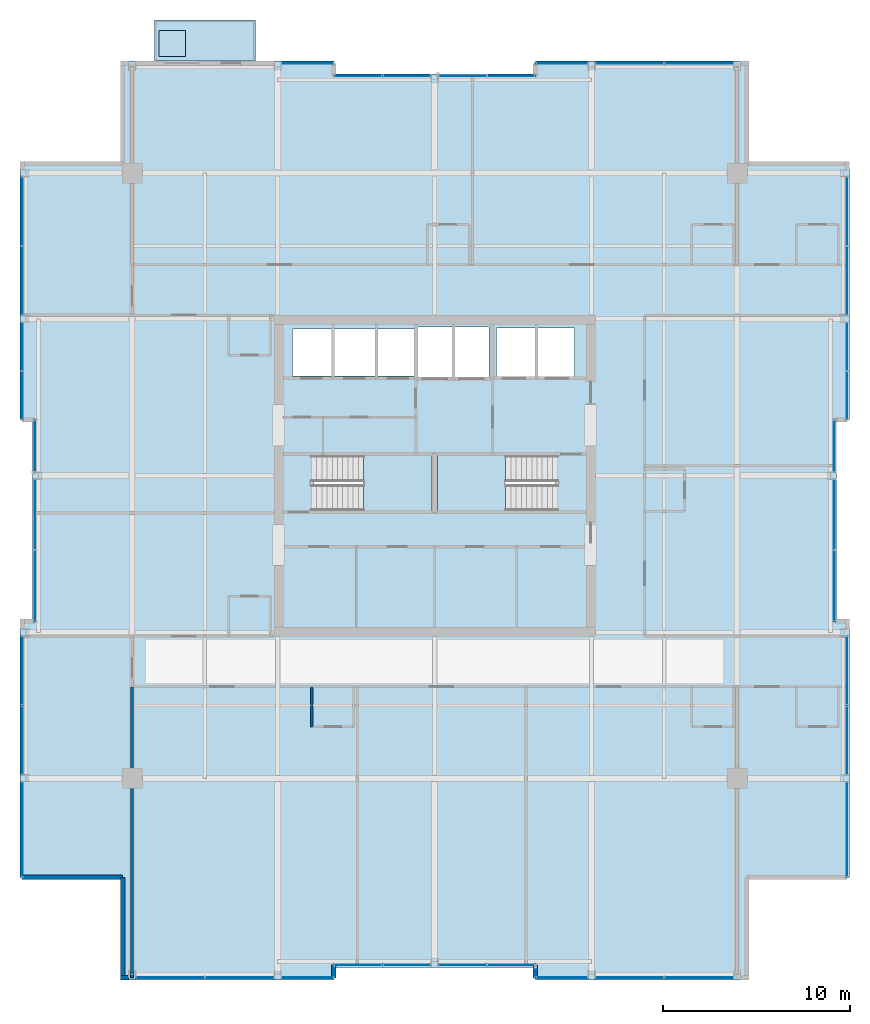
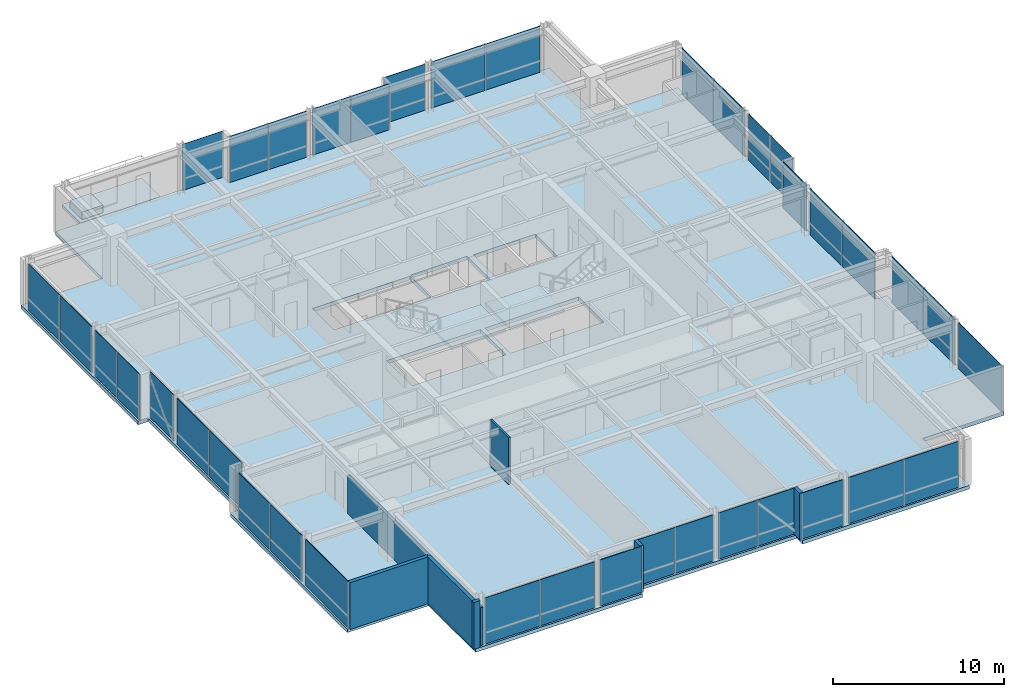
# One storey, part 24 of 31: 38 plates, 7 walls, 5 slabs, 25 elements without a shape of their own.
"""IFC4 building model written with IfcOpenShell, lengths in metres."""

import ifcopenshell
import ifcopenshell.guid

model = None  # the IFC model being written
_history = None  # IfcOwnerHistory: only IFC2X3 demands one
_inside = {}  # id of a spatial element -> (the spatial element, [elements in it])
_under = {}  # id of a project, library or spatial element -> (it, [spatial elements below it])
_declared = {}  # id of a project -> (the project, [libraries it declares])
_typed = {}  # id of a type object -> (the type object, [elements of that type])
_made_of = {}  # id of a material, layer set ... -> (it, [elements and type objects made of it])


def new_model(schema):
    """Start an empty IFC model of exactly this schema.

    Asked for "IFC4X3", IfcOpenShell would pick the latest addendum, in which some entities
    have other attributes; the version numbers below select the first issue.
    IFC2X3 requires an IfcOwnerHistory on every rooted entity: one is made here for all.
    """
    global model, _history
    if schema == "IFC4X3":
        model = ifcopenshell.file(schema_version=(4, 3, 0, 0))
    else:
        model = ifcopenshell.file(schema=schema)
    _inside.clear()
    _under.clear()
    _declared.clear()
    _typed.clear()
    _made_of.clear()
    _history = None
    if model.schema == "IFC2X3":
        org = make("IfcOrganization", Name="unknown")
        user = make(
            "IfcPersonAndOrganization",
            ThePerson=make("IfcPerson", FamilyName="unknown"),
            TheOrganization=org,
        )
        app = make(
            "IfcApplication",
            ApplicationDeveloper=org,
            Version="unknown",
            ApplicationFullName="unknown",
            ApplicationIdentifier="unknown",
        )
        _history = make(
            "IfcOwnerHistory",
            OwningUser=user,
            OwningApplication=app,
            ChangeAction="ADDED",
            CreationDate=0,
        )
    return model


def make(cls, **values):
    """One entity of the class cls with the attributes given. An attribute that is None is left unset."""
    return model.create_entity(
        cls, **{name: value for name, value in values.items() if value is not None}
    )


def rooted(cls, **values):
    """An entity with a GlobalId (a new one), such as an element, a storey or a relation."""
    return make(cls, GlobalId=ifcopenshell.guid.new(), OwnerHistory=_history, **values)


def si_unit(unit_type, name, prefix=None):
    """IfcSIUnit, for example si_unit("LENGTHUNIT", "METRE", prefix="MILLI")."""
    return make("IfcSIUnit", UnitType=unit_type, Prefix=prefix, Name=name)


def assignment(units):
    """IfcUnitAssignment: the units of a project."""
    return None if units is None else make("IfcUnitAssignment", Units=units)


def point(xyz):
    """IfcCartesianPoint."""
    return None if xyz is None else make("IfcCartesianPoint", Coordinates=xyz)


def direction(xyz):
    """IfcDirection."""
    return None if xyz is None else make("IfcDirection", DirectionRatios=xyz)


def frame(location, z_axis=None, x_axis=None):
    """IfcAxis2Placement3D, a coordinate frame: its origin and axes. An axis left out is left unset."""
    return make(
        "IfcAxis2Placement3D",
        Location=point(location),
        Axis=direction(z_axis),
        RefDirection=direction(x_axis),
    )


def frame_2d(location, x_axis=None):
    """IfcAxis2Placement2D, a coordinate frame in the plane: its origin and x axis."""
    return make(
        "IfcAxis2Placement2D", Location=point(location), RefDirection=direction(x_axis)
    )


def origin():
    """The frame at (0, 0, 0) with its axes left unset."""
    return frame((0.0, 0.0, 0.0))


def origin_2d():
    """The frame at (0, 0) in the plane with its x axis left unset."""
    return frame_2d((0.0, 0.0))


def place(relative_to, where):
    """IfcLocalPlacement: puts the frame where relative to a parent placement (None: the world)."""
    return make(
        "IfcLocalPlacement", PlacementRelTo=relative_to, RelativePlacement=where
    )


def context(
    kind, dimensions, precision=None, world=None, true_north=None, identifier=None
):
    """IfcGeometricRepresentationContext, for example the 3D "Model" context."""
    return make(
        "IfcGeometricRepresentationContext",
        ContextIdentifier=identifier,
        ContextType=kind,
        CoordinateSpaceDimension=dimensions,
        Precision=precision,
        WorldCoordinateSystem=world,
        TrueNorth=true_north,
    )


def subcontext(parent, identifier, kind, view, scale=None):
    """IfcGeometricRepresentationSubContext, for example "Body" below "Model"."""
    return make(
        "IfcGeometricRepresentationSubContext",
        ContextIdentifier=identifier,
        ContextType=kind,
        ParentContext=parent,
        TargetScale=scale,
        TargetView=view,
    )


def project(units=None, contexts=None):
    """IfcProject with its units and contexts."""
    return rooted(
        "IfcProject",
        Name="project",
        RepresentationContexts=contexts,
        UnitsInContext=assignment(units),
    )


def spatial(cls, under=None, at=None, **own):
    """A site, building, storey or space (cls), placed at a placement, below another one or the project."""
    s = rooted(cls, ObjectPlacement=at, **own)
    if under is not None:
        _under.setdefault(under.id(), (under, []))[1].append(s)
    return s


def polyline(points):
    """IfcPolyline through the points."""
    return make("IfcPolyline", Points=[point(p) for p in points])


def profile(cls, at=None, kind="AREA", **sizes):
    """A parametric profile (cls). Its sizes go by their IFC names, for example OverallWidth=200.0."""
    return make(cls, ProfileType=kind, Position=at, **sizes)


def rectangle(**sizes):
    """IfcRectangleProfileDef."""
    return profile("IfcRectangleProfileDef", **sizes)


def outline(outer, holes=None, kind="AREA"):
    """IfcArbitraryClosedProfileDef: a profile drawn as a closed curve; with holes, ...WithVoids."""
    if holes is None:
        return make("IfcArbitraryClosedProfileDef", ProfileType=kind, OuterCurve=outer)
    return make(
        "IfcArbitraryProfileDefWithVoids",
        ProfileType=kind,
        OuterCurve=outer,
        InnerCurves=holes,
    )


def extrude(swept, where, along, depth):
    """IfcExtrudedAreaSolid: the profile swept, set in the frame where, extruded along a direction by depth."""
    return make(
        "IfcExtrudedAreaSolid",
        SweptArea=swept,
        Position=where,
        ExtrudedDirection=direction(along),
        Depth=depth,
    )


def shape(context_of_items, identifier, shape_type, items):
    """IfcShapeRepresentation: the items that make up one representation, for example the "Body"."""
    return make(
        "IfcShapeRepresentation",
        ContextOfItems=context_of_items,
        RepresentationIdentifier=identifier,
        RepresentationType=shape_type,
        Items=items,
    )


def material(Name=None, Category=None):
    """IfcMaterial."""
    return make("IfcMaterial", Name=Name, Category=Category)


def layer(
    of_material, thickness, ventilated=None, Name=None, Category=None, Priority=None
):
    """IfcMaterialLayer: one layer of a wall or slab, of a material (None: an air gap)."""
    return make(
        "IfcMaterialLayer",
        Material=of_material,
        LayerThickness=thickness,
        IsVentilated=ventilated,
        Name=Name,
        Category=Category,
        Priority=Priority,
    )


def layer_set(layers, Name=None):
    """IfcMaterialLayerSet."""
    return make("IfcMaterialLayerSet", MaterialLayers=layers, LayerSetName=Name)


def made_of(thing, what):
    """Note that an element or type object is made of a material, layer set ...; save() writes the relation."""
    if what is not None:
        _made_of.setdefault(what.id(), (what, []))[1].append(thing)
    return thing


def type_object(cls, material=None, **own):
    """A type object (cls), such as IfcWallType, which elements share."""
    return made_of(rooted(cls, **own), material)


def element(
    cls,
    number,
    at=None,
    inside=None,
    cuts=None,
    type_object=None,
    material=None,
    context=None,
    identifier="Body",
    shape_type=None,
    held_by="IfcProductDefinitionShape",
    body=None,
    shapes=None,
    **own,
):
    """One element of the class cls, such as IfcWall. Its Tag is "e" and its number.

    at: its placement. inside: the storey or other place that contains it. cuts: it is an
    opening in that element (IfcRelVoidsElement). A single representation is given by context,
    identifier, shape_type and body (its items); several are given by shapes. held_by: the class
    of the entity that holds the representations. save() writes the other relations.
    """
    e = rooted(cls, Tag="e%d" % number, ObjectPlacement=at, **own)
    if body is not None:
        shapes = [shape(context, identifier, shape_type, body)]
    if shapes is not None:
        e.Representation = make(held_by, Representations=shapes)
    if inside is not None:
        _inside.setdefault(inside.id(), (inside, []))[1].append(e)
    if cuts is not None:
        rooted(
            "IfcRelVoidsElement", RelatingBuildingElement=cuts, RelatedOpeningElement=e
        )
    if type_object is not None:
        _typed.setdefault(type_object.id(), (type_object, []))[1].append(e)
    return made_of(e, material)


def aggregate(whole, parts):
    """IfcRelAggregates: a whole, such as a stair, and the parts it consists of."""
    return rooted("IfcRelAggregates", RelatingObject=whole, RelatedObjects=parts)


def save(model, path):
    """Write the relations noted so far, then the file.

    IfcRelAggregates (storeys below a building ...), IfcRelContainedInSpatialStructure (elements
    in a storey), IfcRelDefinesByType, IfcRelAssociatesMaterial and IfcRelDeclares: one each for
    every whole, place, type object, material and project.
    """
    for whole, parts in _under.values():
        aggregate(whole, parts)
    for where, things in _inside.values():
        rooted(
            "IfcRelContainedInSpatialStructure",
            RelatedElements=things,
            RelatingStructure=where,
        )
    for kind, things in _typed.values():
        rooted("IfcRelDefinesByType", RelatedObjects=things, RelatingType=kind)
    for what, things in _made_of.values():
        rooted("IfcRelAssociatesMaterial", RelatedObjects=things, RelatingMaterial=what)
    for by, libraries in _declared.values():
        rooted("IfcRelDeclares", RelatingContext=by, RelatedDefinitions=libraries)
    model.write(path)


model = new_model("IFC4")

# Units and contexts
model_context = context("Model", 3, precision=1e-05, world=origin(), true_north=direction((0.0, 1.0)))
body_context = subcontext(model_context, "Body", "Model", "MODEL_VIEW")
ifc_project = project(units=[si_unit("LENGTHUNIT", "METRE"), si_unit("AREAUNIT", "SQUARE_METRE"), si_unit("VOLUMEUNIT", "CUBIC_METRE"), si_unit("PLANEANGLEUNIT", "RADIAN"), si_unit("MASSUNIT", "GRAM", prefix="KILO")], contexts=[model_context])

# Site, building, storey
site_placement = place(None, origin())
site = spatial("IfcSite", under=ifc_project, at=site_placement, CompositionType="ELEMENT")
building_placement = place(site_placement, origin())
building = spatial("IfcBuilding", under=site, at=building_placement, Name="Drelvath Grand Hotel", CompositionType="ELEMENT")
storey_placement = place(building_placement, frame((0.0, 0.0, 219.5)))
storey = spatial("IfcBuildingStorey", under=building, at=storey_placement, Name="L57", CompositionType="ELEMENT", Elevation=219.5)

# Slabs
ifc_material_1 = material(Name="Concrete f'c 40 MPa", Category="concrete")
ifc_layer_1 = layer(ifc_material_1, 0.239990234375)
ifc_layer_set_1 = layer_set([ifc_layer_1], Name="Concrete f'c 40 MPa")
slab_type_1 = type_object("IfcSlabType", Name="Cantilevered Tree Balcony Slab 240", PredefinedType="FLOOR", material=ifc_layer_set_1)
slab_1_placement = place(storey_placement, frame((0.0, 0.0, -0.239990234375)))
element("IfcSlab", 1, at=slab_1_placement, inside=storey, type_object=slab_type_1, Name="L57 Cantilevered Tree Balcony Slab 1", PredefinedType="FLOOR", context=body_context, shape_type="SweptSolid", body=[
    extrude(outline(polyline([(-15.0, 49.199951171875), (-9.60009765625, 49.199951171875), (-9.60009765625, 51.39990234375), (-15.0, 51.39990234375), (-15.0, 49.199951171875)])), origin(), (0.0, 0.0, 1.0), 0.239990234375),
])
ifc_layer_2 = layer(ifc_material_1, 0.260009765625)
ifc_layer_set_2 = layer_set([ifc_layer_2], Name="Concrete f'c 40 MPa")
slab_type_2 = type_object("IfcSlabType", Name="Composite RC Floor Slab 260", PredefinedType="FLOOR", material=ifc_layer_set_2)
slab_2_placement = place(storey_placement, frame((0.0, 0.0, -0.260009765625)))
element("IfcSlab", 2, at=slab_2_placement, inside=storey, type_object=slab_type_2, Name="L57 Structural Floor Slab", PredefinedType="FLOOR", context=body_context, shape_type="SweptSolid", body=[
    extrude(outline(polyline([(-16.699951171875, 0.0), (-5.39990234375, 0.0), (-5.39990234375, 0.679931640625), (5.39990234375, 0.679931640625), (5.39990234375, 0.0), (16.699951171875, 0.0), (16.699951171875, 5.5), (22.199951171875, 5.5), (22.199951171875, 19.199951171875), (21.52001953125, 19.199951171875), (21.52001953125, 30.0), (22.199951171875, 30.0), (22.199951171875, 43.699951171875), (16.699951171875, 43.699951171875), (16.699951171875, 49.199951171875), (5.39990234375, 49.199951171875), (5.39990234375, 48.52001953125), (-5.39990234375, 48.52001953125), (-5.39990234375, 49.199951171875), (-16.699951171875, 49.199951171875), (-16.699951171875, 43.699951171875), (-22.199951171875, 43.699951171875), (-22.199951171875, 30.0), (-21.52001953125, 30.0), (-21.52001953125, 19.199951171875), (-22.199951171875, 19.199951171875), (-22.199951171875, 5.5), (-16.699951171875, 5.5), (-16.699951171875, 0.0)]), holes=[polyline([(-6.47998046875, 25.1201171875), (-6.47998046875, 28.080078125), (-0.14990234375, 28.080078125), (-0.14990234375, 25.1201171875), (-6.47998046875, 25.1201171875)]), polyline([(0.14990234375, 25.1201171875), (0.14990234375, 28.080078125), (6.47998046875, 28.080078125), (6.47998046875, 25.1201171875), (0.14990234375, 25.1201171875)]), polyline([(-7.60009765625, 32.35009765625), (-7.60009765625, 34.85009765625), (-1.02001953125, 34.85009765625), (-1.02001953125, 32.35009765625), (-7.60009765625, 32.35009765625)]), polyline([(-0.89990234375, 32.25), (-0.89990234375, 34.949951171875), (2.89990234375, 34.949951171875), (2.89990234375, 32.25), (-0.89990234375, 32.25)]), polyline([(3.300048828125, 32.300048828125), (3.300048828125, 34.89990234375), (7.5, 34.89990234375), (7.5, 32.300048828125), (3.300048828125, 32.300048828125)])]), origin(), (0.0, 0.0, 1.0), 0.260009765625),
])

# Stair, slab
ifc_material_2 = material(Name="Concrete C40/50", Category="concrete")
stair_type = type_object("IfcStairType", Name="Dogleg Exit Stair W1400-R163.6", PredefinedType="HALF_TURN_STAIR", material=ifc_material_2)
stair_1_placement = place(storey_placement, origin())
stair_1 = element("IfcStair", 3, at=stair_1_placement, inside=storey, type_object=stair_type, Name="L57 Core Exit Stair ST-1", PredefinedType="HALF_TURN_STAIR")
ifc_layer_3 = layer(ifc_material_2, 0.199951171875)
ifc_layer_set_3 = layer_set([ifc_layer_3], Name="Concrete C40/50")
slab_type_3 = type_object("IfcSlabType", Name="Concrete Stair Landing Slab 200", PredefinedType="LANDING", material=ifc_layer_set_3)
slab_3_placement = place(storey_placement, frame((0.0, 0.0, 1.60009765625)))
slab_3 = element("IfcSlab", 4, at=slab_3_placement, type_object=slab_type_3, Name="ST-1 landing 1", PredefinedType="LANDING", context=body_context, shape_type="SweptSolid", body=[
    extrude(outline(polyline([(-3.800048828125, 25.1201171875), (-0.14990234375, 25.1201171875), (-0.14990234375, 28.080078125), (-3.800048828125, 28.080078125), (-3.800048828125, 25.1201171875)])), origin(), (0.0, 0.0, 1.0), 0.199951171875),
])
aggregate(stair_1, [slab_3])

stair_2_placement = place(storey_placement, origin())
stair_2 = element("IfcStair", 5, at=stair_2_placement, inside=storey, type_object=stair_type, Name="L57 Core Exit Stair ST-2", PredefinedType="HALF_TURN_STAIR")
slab_4_placement = place(storey_placement, frame((0.0, 0.0, 1.60009765625)))
slab_4 = element("IfcSlab", 6, at=slab_4_placement, type_object=slab_type_3, Name="ST-2 landing 1", PredefinedType="LANDING", context=body_context, shape_type="SweptSolid", body=[
    extrude(outline(polyline([(3.800048828125, 28.080078125), (0.14990234375, 28.080078125), (0.14990234375, 25.1201171875), (3.800048828125, 25.1201171875), (3.800048828125, 28.080078125)])), origin(), (0.0, 0.0, 1.0), 0.199951171875),
])
aggregate(stair_2, [slab_4])

# Curtain wall, plate
ifc_material_3 = material(Name="Platinum-Mist Anodised Aluminium Frame", Category="aluminium")
ifc_layer_4 = layer(ifc_material_3, 0.199951171875)
ifc_layer_set_4 = layer_set([ifc_layer_4], Name="Platinum-Mist Anodised Aluminium Frame")
curtain_wall_type = type_object("IfcCurtainWallType", Name="Stick Curtain Wall CW-05 Platinum Mist High-Rise", PredefinedType="NOTDEFINED", material=ifc_layer_set_4)
curtain_wall_1_placement = place(storey_placement, origin())
curtain_wall_1 = element("IfcCurtainWall", 7, at=curtain_wall_1_placement, inside=storey, type_object=curtain_wall_type, Name="L57 CW-05 Curtain Wall CW05-L57-WS1", PredefinedType="NOTDEFINED")
ifc_material_4 = material(Name="Low-E Triple Silver High-Altitude Glass", Category="glass")
ifc_layer_5 = layer(ifc_material_4, 0.035888671875)
ifc_layer_set_5 = layer_set([ifc_layer_5], Name="Low-E Triple Silver High-Altitude Glass")
plate_type = type_object("IfcPlateType", Name="Curtain Wall Vision Panel CW-05 36mm", PredefinedType="CURTAIN_PANEL", material=ifc_layer_set_5)
plate_1_placement = place(storey_placement, frame((-22.080078125, 8.057373046875, 0.02001953125), z_axis=(0.0, 0.0, 1.0), x_axis=(0.0, 1.0, 0.0)))
plate_1 = element("IfcPlate", 8, at=plate_1_placement, type_object=plate_type, Name="CW05-L57-WS1 Glazed Panel 1", PredefinedType="CURTAIN_PANEL", context=body_context, shape_type="SweptSolid", body=[
    extrude(rectangle(XDim=5.07470703125, YDim=0.035888671875, at=origin_2d()), origin(), (0.0, 0.0, 1.0), 3.300048828125),
])
aggregate(curtain_wall_1, [plate_1])

# Curtain wall, plates
curtain_wall_2_placement = place(storey_placement, origin())
curtain_wall_2 = element("IfcCurtainWall", 9, at=curtain_wall_2_placement, inside=storey, type_object=curtain_wall_type, Name="L57 CW-05 Curtain Wall CW05-L57-WS2", PredefinedType="NOTDEFINED")
plate_2_placement = place(storey_placement, frame((-22.080078125, 12.842529296875, 0.02001953125), z_axis=(0.0, 0.0, 1.0), x_axis=(0.0, 1.0, 0.0)))
plate_2 = element("IfcPlate", 10, at=plate_2_placement, type_object=plate_type, Name="CW05-L57-WS2 Glazed Panel 1", PredefinedType="CURTAIN_PANEL", context=body_context, shape_type="SweptSolid", body=[
    extrude(rectangle(XDim=3.6748046875, YDim=0.035888671875, at=origin_2d()), origin(), (0.0, 0.0, 1.0), 3.300048828125),
])
plate_3_placement = place(storey_placement, frame((-22.080078125, 16.557373046875, 0.02001953125), z_axis=(0.0, 0.0, 1.0), x_axis=(0.0, 1.0, 0.0)))
plate_3 = element("IfcPlate", 11, at=plate_3_placement, type_object=plate_type, Name="CW05-L57-WS2 Glazed Panel 2", PredefinedType="CURTAIN_PANEL", context=body_context, shape_type="SweptSolid", body=[
    extrude(rectangle(XDim=3.6748046875, YDim=0.035888671875, at=origin_2d()), origin(), (0.0, 0.0, 1.0), 3.300048828125),
])
aggregate(curtain_wall_2, [plate_2, plate_3])

curtain_wall_3_placement = place(storey_placement, origin())
curtain_wall_3 = element("IfcCurtainWall", 12, at=curtain_wall_3_placement, inside=storey, type_object=curtain_wall_type, Name="L57 CW-05 Curtain Wall CW05-L57-WM1", PredefinedType="NOTDEFINED")
plate_4_placement = place(storey_placement, frame((-21.39990234375, 21.103759765625, 0.02001953125), z_axis=(0.0, 0.0, 1.0), x_axis=(0.0, 1.0, 0.0)))
plate_4 = element("IfcPlate", 13, at=plate_4_placement, type_object=plate_type, Name="CW05-L57-WM1 Glazed Panel 1", PredefinedType="CURTAIN_PANEL", context=body_context, shape_type="SweptSolid", body=[
    extrude(rectangle(XDim=3.767333984375, YDim=0.035888671875, at=origin_2d()), origin(), (0.0, 0.0, 1.0), 3.300048828125),
])
plate_5_placement = place(storey_placement, frame((-21.39990234375, 24.910888671875, 0.02001953125), z_axis=(0.0, 0.0, 1.0), x_axis=(0.0, 1.0, 0.0)))
plate_5 = element("IfcPlate", 14, at=plate_5_placement, type_object=plate_type, Name="CW05-L57-WM1 Glazed Panel 2", PredefinedType="CURTAIN_PANEL", context=body_context, shape_type="SweptSolid", body=[
    extrude(rectangle(XDim=3.767333984375, YDim=0.035888671875, at=origin_2d()), origin(), (0.0, 0.0, 1.0), 3.300048828125),
])
aggregate(curtain_wall_3, [plate_4, plate_5])

# Curtain wall, plate
curtain_wall_4_placement = place(storey_placement, origin())
curtain_wall_4 = element("IfcCurtainWall", 15, at=curtain_wall_4_placement, inside=storey, type_object=curtain_wall_type, Name="L57 CW-05 Curtain Wall CW05-L57-WM2", PredefinedType="NOTDEFINED")
plate_6_placement = place(storey_placement, frame((-21.39990234375, 28.592529296875, 0.02001953125), z_axis=(0.0, 0.0, 1.0), x_axis=(0.0, 1.0, 0.0)))
plate_6 = element("IfcPlate", 16, at=plate_6_placement, type_object=plate_type, Name="CW05-L57-WM2 Glazed Panel 1", PredefinedType="CURTAIN_PANEL", context=body_context, shape_type="SweptSolid", body=[
    extrude(rectangle(XDim=2.774658203125, YDim=0.035888671875, at=origin_2d()), origin(), (0.0, 0.0, 1.0), 3.300048828125),
])
aggregate(curtain_wall_4, [plate_6])

# Curtain wall, plates
curtain_wall_5_placement = place(storey_placement, origin())
curtain_wall_5 = element("IfcCurtainWall", 17, at=curtain_wall_5_placement, inside=storey, type_object=curtain_wall_type, Name="L57 CW-05 Curtain Wall CW05-L57-WN1", PredefinedType="NOTDEFINED")
plate_7_placement = place(storey_placement, frame((-22.080078125, 31.3037109375, 0.02001953125), z_axis=(0.0, 0.0, 1.0), x_axis=(0.0, 1.0, 0.0)))
plate_7 = element("IfcPlate", 18, at=plate_7_placement, type_object=plate_type, Name="CW05-L57-WN1 Glazed Panel 1", PredefinedType="CURTAIN_PANEL", context=body_context, shape_type="SweptSolid", body=[
    extrude(rectangle(XDim=2.5673828125, YDim=0.035888671875, at=origin_2d()), origin(), (0.0, 0.0, 1.0), 3.300048828125),
])
plate_8_placement = place(storey_placement, frame((-22.080078125, 33.9111328125, 0.02001953125), z_axis=(0.0, 0.0, 1.0), x_axis=(0.0, 1.0, 0.0)))
plate_8 = element("IfcPlate", 19, at=plate_8_placement, type_object=plate_type, Name="CW05-L57-WN1 Glazed Panel 2", PredefinedType="CURTAIN_PANEL", context=body_context, shape_type="SweptSolid", body=[
    extrude(rectangle(XDim=2.5673828125, YDim=0.035888671875, at=origin_2d()), origin(), (0.0, 0.0, 1.0), 3.300048828125),
])
aggregate(curtain_wall_5, [plate_7, plate_8])

curtain_wall_6_placement = place(storey_placement, origin())
curtain_wall_6 = element("IfcCurtainWall", 20, at=curtain_wall_6_placement, inside=storey, type_object=curtain_wall_type, Name="L57 CW-05 Curtain Wall CW05-L57-WN2", PredefinedType="NOTDEFINED")
plate_9_placement = place(storey_placement, frame((-22.080078125, 37.442626953125, 0.02001953125), z_axis=(0.0, 0.0, 1.0), x_axis=(0.0, 1.0, 0.0)))
plate_9 = element("IfcPlate", 21, at=plate_9_placement, type_object=plate_type, Name="CW05-L57-WN2 Glazed Panel 1", PredefinedType="CURTAIN_PANEL", context=body_context, shape_type="SweptSolid", body=[
    extrude(rectangle(XDim=3.6748046875, YDim=0.035888671875, at=origin_2d()), origin(), (0.0, 0.0, 1.0), 3.300048828125),
])
plate_10_placement = place(storey_placement, frame((-22.080078125, 41.157470703125, 0.02001953125), z_axis=(0.0, 0.0, 1.0), x_axis=(0.0, 1.0, 0.0)))
plate_10 = element("IfcPlate", 22, at=plate_10_placement, type_object=plate_type, Name="CW05-L57-WN2 Glazed Panel 2", PredefinedType="CURTAIN_PANEL", context=body_context, shape_type="SweptSolid", body=[
    extrude(rectangle(XDim=3.6748046875, YDim=0.035888671875, at=origin_2d()), origin(), (0.0, 0.0, 1.0), 3.300048828125),
])
aggregate(curtain_wall_6, [plate_9, plate_10])

curtain_wall_7_placement = place(storey_placement, origin())
curtain_wall_7 = element("IfcCurtainWall", 23, at=curtain_wall_7_placement, inside=storey, type_object=curtain_wall_type, Name="L57 CW-05 Curtain Wall CW05-L57-EN1", PredefinedType="NOTDEFINED")
plate_11_placement = place(storey_placement, frame((22.080078125, 33.9111328125, 0.02001953125), z_axis=(0.0, 0.0, 1.0), x_axis=(0.0, -1.0, 0.0)))
plate_11 = element("IfcPlate", 24, at=plate_11_placement, type_object=plate_type, Name="CW05-L57-EN1 Glazed Panel 1", PredefinedType="CURTAIN_PANEL", context=body_context, shape_type="SweptSolid", body=[
    extrude(rectangle(XDim=2.5673828125, YDim=0.035888671875, at=origin_2d()), origin(), (0.0, 0.0, 1.0), 3.300048828125),
])
plate_12_placement = place(storey_placement, frame((22.080078125, 31.3037109375, 0.02001953125), z_axis=(0.0, 0.0, 1.0), x_axis=(0.0, -1.0, 0.0)))
plate_12 = element("IfcPlate", 25, at=plate_12_placement, type_object=plate_type, Name="CW05-L57-EN1 Glazed Panel 2", PredefinedType="CURTAIN_PANEL", context=body_context, shape_type="SweptSolid", body=[
    extrude(rectangle(XDim=2.5673828125, YDim=0.035888671875, at=origin_2d()), origin(), (0.0, 0.0, 1.0), 3.300048828125),
])
aggregate(curtain_wall_7, [plate_11, plate_12])

curtain_wall_8_placement = place(storey_placement, origin())
curtain_wall_8 = element("IfcCurtainWall", 26, at=curtain_wall_8_placement, inside=storey, type_object=curtain_wall_type, Name="L57 CW-05 Curtain Wall CW05-L57-EN2", PredefinedType="NOTDEFINED")
plate_13_placement = place(storey_placement, frame((22.080078125, 41.157470703125, 0.02001953125), z_axis=(0.0, 0.0, 1.0), x_axis=(0.0, -1.0, 0.0)))
plate_13 = element("IfcPlate", 27, at=plate_13_placement, type_object=plate_type, Name="CW05-L57-EN2 Glazed Panel 1", PredefinedType="CURTAIN_PANEL", context=body_context, shape_type="SweptSolid", body=[
    extrude(rectangle(XDim=3.6748046875, YDim=0.035888671875, at=origin_2d()), origin(), (0.0, 0.0, 1.0), 3.300048828125),
])
plate_14_placement = place(storey_placement, frame((22.080078125, 37.442626953125, 0.02001953125), z_axis=(0.0, 0.0, 1.0), x_axis=(0.0, -1.0, 0.0)))
plate_14 = element("IfcPlate", 28, at=plate_14_placement, type_object=plate_type, Name="CW05-L57-EN2 Glazed Panel 2", PredefinedType="CURTAIN_PANEL", context=body_context, shape_type="SweptSolid", body=[
    extrude(rectangle(XDim=3.6748046875, YDim=0.035888671875, at=origin_2d()), origin(), (0.0, 0.0, 1.0), 3.300048828125),
])
aggregate(curtain_wall_8, [plate_13, plate_14])

curtain_wall_9_placement = place(storey_placement, origin())
curtain_wall_9 = element("IfcCurtainWall", 29, at=curtain_wall_9_placement, inside=storey, type_object=curtain_wall_type, Name="L57 CW-05 Curtain Wall CW05-L57-EM1", PredefinedType="NOTDEFINED")
plate_15_placement = place(storey_placement, frame((21.39990234375, 24.910888671875, 0.02001953125), z_axis=(0.0, 0.0, 1.0), x_axis=(0.0, -1.0, 0.0)))
plate_15 = element("IfcPlate", 30, at=plate_15_placement, type_object=plate_type, Name="CW05-L57-EM1 Glazed Panel 1", PredefinedType="CURTAIN_PANEL", context=body_context, shape_type="SweptSolid", body=[
    extrude(rectangle(XDim=3.767333984375, YDim=0.035888671875, at=origin_2d()), origin(), (0.0, 0.0, 1.0), 3.300048828125),
])
plate_16_placement = place(storey_placement, frame((21.39990234375, 21.103759765625, 0.02001953125), z_axis=(0.0, 0.0, 1.0), x_axis=(0.0, -1.0, 0.0)))
plate_16 = element("IfcPlate", 31, at=plate_16_placement, type_object=plate_type, Name="CW05-L57-EM1 Glazed Panel 2", PredefinedType="CURTAIN_PANEL", context=body_context, shape_type="SweptSolid", body=[
    extrude(rectangle(XDim=3.767333984375, YDim=0.035888671875, at=origin_2d()), origin(), (0.0, 0.0, 1.0), 3.300048828125),
])
aggregate(curtain_wall_9, [plate_15, plate_16])

# Curtain wall, plate
curtain_wall_10_placement = place(storey_placement, origin())
curtain_wall_10 = element("IfcCurtainWall", 32, at=curtain_wall_10_placement, inside=storey, type_object=curtain_wall_type, Name="L57 CW-05 Curtain Wall CW05-L57-EM2", PredefinedType="NOTDEFINED")
plate_17_placement = place(storey_placement, frame((21.39990234375, 28.592529296875, 0.02001953125), z_axis=(0.0, 0.0, 1.0), x_axis=(0.0, -1.0, 0.0)))
plate_17 = element("IfcPlate", 33, at=plate_17_placement, type_object=plate_type, Name="CW05-L57-EM2 Glazed Panel 1", PredefinedType="CURTAIN_PANEL", context=body_context, shape_type="SweptSolid", body=[
    extrude(rectangle(XDim=2.774658203125, YDim=0.035888671875, at=origin_2d()), origin(), (0.0, 0.0, 1.0), 3.300048828125),
])
aggregate(curtain_wall_10, [plate_17])

curtain_wall_11_placement = place(storey_placement, origin())
curtain_wall_11 = element("IfcCurtainWall", 34, at=curtain_wall_11_placement, inside=storey, type_object=curtain_wall_type, Name="L57 CW-05 Curtain Wall CW05-L57-ES1", PredefinedType="NOTDEFINED")
plate_18_placement = place(storey_placement, frame((22.080078125, 8.057373046875, 0.02001953125), z_axis=(0.0, 0.0, 1.0), x_axis=(0.0, -1.0, 0.0)))
plate_18 = element("IfcPlate", 35, at=plate_18_placement, type_object=plate_type, Name="CW05-L57-ES1 Glazed Panel 1", PredefinedType="CURTAIN_PANEL", context=body_context, shape_type="SweptSolid", body=[
    extrude(rectangle(XDim=5.07470703125, YDim=0.035888671875, at=origin_2d()), origin(), (0.0, 0.0, 1.0), 3.300048828125),
])
aggregate(curtain_wall_11, [plate_18])

# Curtain wall, plates
curtain_wall_12_placement = place(storey_placement, origin())
curtain_wall_12 = element("IfcCurtainWall", 36, at=curtain_wall_12_placement, inside=storey, type_object=curtain_wall_type, Name="L57 CW-05 Curtain Wall CW05-L57-ES2", PredefinedType="NOTDEFINED")
plate_19_placement = place(storey_placement, frame((22.080078125, 16.557373046875, 0.02001953125), z_axis=(0.0, 0.0, 1.0), x_axis=(0.0, -1.0, 0.0)))
plate_19 = element("IfcPlate", 37, at=plate_19_placement, type_object=plate_type, Name="CW05-L57-ES2 Glazed Panel 1", PredefinedType="CURTAIN_PANEL", context=body_context, shape_type="SweptSolid", body=[
    extrude(rectangle(XDim=3.6748046875, YDim=0.035888671875, at=origin_2d()), origin(), (0.0, 0.0, 1.0), 3.300048828125),
])
plate_20_placement = place(storey_placement, frame((22.080078125, 12.842529296875, 0.02001953125), z_axis=(0.0, 0.0, 1.0), x_axis=(0.0, -1.0, 0.0)))
plate_20 = element("IfcPlate", 38, at=plate_20_placement, type_object=plate_type, Name="CW05-L57-ES2 Glazed Panel 2", PredefinedType="CURTAIN_PANEL", context=body_context, shape_type="SweptSolid", body=[
    extrude(rectangle(XDim=3.6748046875, YDim=0.035888671875, at=origin_2d()), origin(), (0.0, 0.0, 1.0), 3.300048828125),
])
aggregate(curtain_wall_12, [plate_19, plate_20])

# Curtain wall, plate
curtain_wall_13_placement = place(storey_placement, origin())
curtain_wall_13 = element("IfcCurtainWall", 39, at=curtain_wall_13_placement, inside=storey, type_object=curtain_wall_type, Name="L57 CW-05 Curtain Wall CW05-L57-NW3", PredefinedType="NOTDEFINED")
plate_21_placement = place(storey_placement, frame((-6.807373046875, 49.080078125, 0.02001953125), z_axis=(0.0, 0.0, 1.0), x_axis=(1.0, 0.0, 0.0)))
plate_21 = element("IfcPlate", 40, at=plate_21_placement, type_object=plate_type, Name="CW05-L57-NW3 Glazed Panel 1", PredefinedType="CURTAIN_PANEL", context=body_context, shape_type="SweptSolid", body=[
    extrude(rectangle(XDim=2.774658203125, YDim=0.035888671875, at=origin_2d()), origin(), (0.0, 0.0, 1.0), 3.300048828125),
])
aggregate(curtain_wall_13, [plate_21])

# Curtain wall, plates
curtain_wall_14_placement = place(storey_placement, origin())
curtain_wall_14 = element("IfcCurtainWall", 41, at=curtain_wall_14_placement, inside=storey, type_object=curtain_wall_type, Name="L57 CW-05 Curtain Wall CW05-L57-NM1", PredefinedType="NOTDEFINED")
plate_22_placement = place(storey_placement, frame((-4.096435546875, 48.39990234375, 0.02001953125), z_axis=(0.0, 0.0, 1.0), x_axis=(1.0, 0.0, 0.0)))
plate_22 = element("IfcPlate", 42, at=plate_22_placement, type_object=plate_type, Name="CW05-L57-NM1 Glazed Panel 1", PredefinedType="CURTAIN_PANEL", context=body_context, shape_type="SweptSolid", body=[
    extrude(rectangle(XDim=2.5673828125, YDim=0.035888671875, at=origin_2d()), origin(), (0.0, 0.0, 1.0), 3.300048828125),
])
plate_23_placement = place(storey_placement, frame((-1.489013671875, 48.39990234375, 0.02001953125), z_axis=(0.0, 0.0, 1.0), x_axis=(1.0, 0.0, 0.0)))
plate_23 = element("IfcPlate", 43, at=plate_23_placement, type_object=plate_type, Name="CW05-L57-NM1 Glazed Panel 2", PredefinedType="CURTAIN_PANEL", context=body_context, shape_type="SweptSolid", body=[
    extrude(rectangle(XDim=2.5673828125, YDim=0.035888671875, at=origin_2d()), origin(), (0.0, 0.0, 1.0), 3.300048828125),
])
aggregate(curtain_wall_14, [plate_22, plate_23])

curtain_wall_15_placement = place(storey_placement, origin())
curtain_wall_15 = element("IfcCurtainWall", 44, at=curtain_wall_15_placement, inside=storey, type_object=curtain_wall_type, Name="L57 CW-05 Curtain Wall CW05-L57-NM2", PredefinedType="NOTDEFINED")
plate_24_placement = place(storey_placement, frame((1.489013671875, 48.39990234375, 0.02001953125), z_axis=(0.0, 0.0, 1.0), x_axis=(1.0, 0.0, 0.0)))
plate_24 = element("IfcPlate", 45, at=plate_24_placement, type_object=plate_type, Name="CW05-L57-NM2 Glazed Panel 1", PredefinedType="CURTAIN_PANEL", context=body_context, shape_type="SweptSolid", body=[
    extrude(rectangle(XDim=2.5673828125, YDim=0.035888671875, at=origin_2d()), origin(), (0.0, 0.0, 1.0), 3.300048828125),
])
plate_25_placement = place(storey_placement, frame((4.096435546875, 48.39990234375, 0.02001953125), z_axis=(0.0, 0.0, 1.0), x_axis=(1.0, 0.0, 0.0)))
plate_25 = element("IfcPlate", 46, at=plate_25_placement, type_object=plate_type, Name="CW05-L57-NM2 Glazed Panel 2", PredefinedType="CURTAIN_PANEL", context=body_context, shape_type="SweptSolid", body=[
    extrude(rectangle(XDim=2.5673828125, YDim=0.035888671875, at=origin_2d()), origin(), (0.0, 0.0, 1.0), 3.300048828125),
])
aggregate(curtain_wall_15, [plate_24, plate_25])

# Curtain wall, plate
curtain_wall_16_placement = place(storey_placement, origin())
curtain_wall_16 = element("IfcCurtainWall", 47, at=curtain_wall_16_placement, inside=storey, type_object=curtain_wall_type, Name="L57 CW-05 Curtain Wall CW05-L57-NE1", PredefinedType="NOTDEFINED")
plate_26_placement = place(storey_placement, frame((6.807373046875, 49.080078125, 0.02001953125), z_axis=(0.0, 0.0, 1.0), x_axis=(1.0, 0.0, 0.0)))
plate_26 = element("IfcPlate", 48, at=plate_26_placement, type_object=plate_type, Name="CW05-L57-NE1 Glazed Panel 1", PredefinedType="CURTAIN_PANEL", context=body_context, shape_type="SweptSolid", body=[
    extrude(rectangle(XDim=2.774658203125, YDim=0.035888671875, at=origin_2d()), origin(), (0.0, 0.0, 1.0), 3.300048828125),
])
aggregate(curtain_wall_16, [plate_26])

# Curtain wall, plates
curtain_wall_17_placement = place(storey_placement, origin())
curtain_wall_17 = element("IfcCurtainWall", 49, at=curtain_wall_17_placement, inside=storey, type_object=curtain_wall_type, Name="L57 CW-05 Curtain Wall CW05-L57-NE2", PredefinedType="NOTDEFINED")
plate_27_placement = place(storey_placement, frame((10.442626953125, 49.080078125, 0.02001953125), z_axis=(0.0, 0.0, 1.0), x_axis=(1.0, 0.0, 0.0)))
plate_27 = element("IfcPlate", 50, at=plate_27_placement, type_object=plate_type, Name="CW05-L57-NE2 Glazed Panel 1", PredefinedType="CURTAIN_PANEL", context=body_context, shape_type="SweptSolid", body=[
    extrude(rectangle(XDim=3.6748046875, YDim=0.035888671875, at=origin_2d()), origin(), (0.0, 0.0, 1.0), 3.300048828125),
])
plate_28_placement = place(storey_placement, frame((14.157470703125, 49.080078125, 0.02001953125), z_axis=(0.0, 0.0, 1.0), x_axis=(1.0, 0.0, 0.0)))
plate_28 = element("IfcPlate", 51, at=plate_28_placement, type_object=plate_type, Name="CW05-L57-NE2 Glazed Panel 2", PredefinedType="CURTAIN_PANEL", context=body_context, shape_type="SweptSolid", body=[
    extrude(rectangle(XDim=3.6748046875, YDim=0.035888671875, at=origin_2d()), origin(), (0.0, 0.0, 1.0), 3.300048828125),
])
aggregate(curtain_wall_17, [plate_27, plate_28])

# Curtain wall, plate
curtain_wall_18_placement = place(storey_placement, origin())
curtain_wall_18 = element("IfcCurtainWall", 52, at=curtain_wall_18_placement, inside=storey, type_object=curtain_wall_type, Name="L57 CW-05 Curtain Wall CW05-L57-SE1", PredefinedType="NOTDEFINED")
plate_29_placement = place(storey_placement, frame((6.807373046875, 0.1201171875, 0.02001953125), z_axis=(0.0, 0.0, 1.0), x_axis=(-1.0, 0.0, 0.0)))
plate_29 = element("IfcPlate", 53, at=plate_29_placement, type_object=plate_type, Name="CW05-L57-SE1 Glazed Panel 1", PredefinedType="CURTAIN_PANEL", context=body_context, shape_type="SweptSolid", body=[
    extrude(rectangle(XDim=2.774658203125, YDim=0.035888671875, at=origin_2d()), origin(), (0.0, 0.0, 1.0), 3.300048828125),
])
aggregate(curtain_wall_18, [plate_29])

# Curtain wall, plates
curtain_wall_19_placement = place(storey_placement, origin())
curtain_wall_19 = element("IfcCurtainWall", 54, at=curtain_wall_19_placement, inside=storey, type_object=curtain_wall_type, Name="L57 CW-05 Curtain Wall CW05-L57-SE2", PredefinedType="NOTDEFINED")
plate_30_placement = place(storey_placement, frame((14.157470703125, 0.1201171875, 0.02001953125), z_axis=(0.0, 0.0, 1.0), x_axis=(-1.0, 0.0, 0.0)))
plate_30 = element("IfcPlate", 55, at=plate_30_placement, type_object=plate_type, Name="CW05-L57-SE2 Glazed Panel 1", PredefinedType="CURTAIN_PANEL", context=body_context, shape_type="SweptSolid", body=[
    extrude(rectangle(XDim=3.6748046875, YDim=0.035888671875, at=origin_2d()), origin(), (0.0, 0.0, 1.0), 3.300048828125),
])
plate_31_placement = place(storey_placement, frame((10.442626953125, 0.1201171875, 0.02001953125), z_axis=(0.0, 0.0, 1.0), x_axis=(-1.0, 0.0, 0.0)))
plate_31 = element("IfcPlate", 56, at=plate_31_placement, type_object=plate_type, Name="CW05-L57-SE2 Glazed Panel 2", PredefinedType="CURTAIN_PANEL", context=body_context, shape_type="SweptSolid", body=[
    extrude(rectangle(XDim=3.6748046875, YDim=0.035888671875, at=origin_2d()), origin(), (0.0, 0.0, 1.0), 3.300048828125),
])
aggregate(curtain_wall_19, [plate_30, plate_31])

curtain_wall_20_placement = place(storey_placement, origin())
curtain_wall_20 = element("IfcCurtainWall", 57, at=curtain_wall_20_placement, inside=storey, type_object=curtain_wall_type, Name="L57 CW-05 Curtain Wall CW05-L57-SM1", PredefinedType="NOTDEFINED")
plate_32_placement = place(storey_placement, frame((-1.489013671875, 0.800048828125, 0.02001953125), z_axis=(0.0, 0.0, 1.0), x_axis=(-1.0, 0.0, 0.0)))
plate_32 = element("IfcPlate", 58, at=plate_32_placement, type_object=plate_type, Name="CW05-L57-SM1 Glazed Panel 1", PredefinedType="CURTAIN_PANEL", context=body_context, shape_type="SweptSolid", body=[
    extrude(rectangle(XDim=2.5673828125, YDim=0.035888671875, at=origin_2d()), origin(), (0.0, 0.0, 1.0), 3.300048828125),
])
plate_33_placement = place(storey_placement, frame((-4.096435546875, 0.800048828125, 0.02001953125), z_axis=(0.0, 0.0, 1.0), x_axis=(-1.0, 0.0, 0.0)))
plate_33 = element("IfcPlate", 59, at=plate_33_placement, type_object=plate_type, Name="CW05-L57-SM1 Glazed Panel 2", PredefinedType="CURTAIN_PANEL", context=body_context, shape_type="SweptSolid", body=[
    extrude(rectangle(XDim=2.5673828125, YDim=0.035888671875, at=origin_2d()), origin(), (0.0, 0.0, 1.0), 3.300048828125),
])
aggregate(curtain_wall_20, [plate_32, plate_33])

curtain_wall_21_placement = place(storey_placement, origin())
curtain_wall_21 = element("IfcCurtainWall", 60, at=curtain_wall_21_placement, inside=storey, type_object=curtain_wall_type, Name="L57 CW-05 Curtain Wall CW05-L57-SM2", PredefinedType="NOTDEFINED")
plate_34_placement = place(storey_placement, frame((4.096435546875, 0.800048828125, 0.02001953125), z_axis=(0.0, 0.0, 1.0), x_axis=(-1.0, 0.0, 0.0)))
plate_34 = element("IfcPlate", 61, at=plate_34_placement, type_object=plate_type, Name="CW05-L57-SM2 Glazed Panel 1", PredefinedType="CURTAIN_PANEL", context=body_context, shape_type="SweptSolid", body=[
    extrude(rectangle(XDim=2.5673828125, YDim=0.035888671875, at=origin_2d()), origin(), (0.0, 0.0, 1.0), 3.300048828125),
])
plate_35_placement = place(storey_placement, frame((1.489013671875, 0.800048828125, 0.02001953125), z_axis=(0.0, 0.0, 1.0), x_axis=(-1.0, 0.0, 0.0)))
plate_35 = element("IfcPlate", 62, at=plate_35_placement, type_object=plate_type, Name="CW05-L57-SM2 Glazed Panel 2", PredefinedType="CURTAIN_PANEL", context=body_context, shape_type="SweptSolid", body=[
    extrude(rectangle(XDim=2.5673828125, YDim=0.035888671875, at=origin_2d()), origin(), (0.0, 0.0, 1.0), 3.300048828125),
])
aggregate(curtain_wall_21, [plate_34, plate_35])

curtain_wall_22_placement = place(storey_placement, origin())
curtain_wall_22 = element("IfcCurtainWall", 63, at=curtain_wall_22_placement, inside=storey, type_object=curtain_wall_type, Name="L57 CW-05 Curtain Wall CW05-L57-SW2", PredefinedType="NOTDEFINED")
plate_36_placement = place(storey_placement, frame((-10.442626953125, 0.1201171875, 0.02001953125), z_axis=(0.0, 0.0, 1.0), x_axis=(-1.0, 0.0, 0.0)))
plate_36 = element("IfcPlate", 64, at=plate_36_placement, type_object=plate_type, Name="CW05-L57-SW2 Glazed Panel 1", PredefinedType="CURTAIN_PANEL", context=body_context, shape_type="SweptSolid", body=[
    extrude(rectangle(XDim=3.6748046875, YDim=0.035888671875, at=origin_2d()), origin(), (0.0, 0.0, 1.0), 3.300048828125),
])
plate_37_placement = place(storey_placement, frame((-14.157470703125, 0.1201171875, 0.02001953125), z_axis=(0.0, 0.0, 1.0), x_axis=(-1.0, 0.0, 0.0)))
plate_37 = element("IfcPlate", 65, at=plate_37_placement, type_object=plate_type, Name="CW05-L57-SW2 Glazed Panel 2", PredefinedType="CURTAIN_PANEL", context=body_context, shape_type="SweptSolid", body=[
    extrude(rectangle(XDim=3.6748046875, YDim=0.035888671875, at=origin_2d()), origin(), (0.0, 0.0, 1.0), 3.300048828125),
])
aggregate(curtain_wall_22, [plate_36, plate_37])

# Curtain wall, plate
curtain_wall_23_placement = place(storey_placement, origin())
curtain_wall_23 = element("IfcCurtainWall", 66, at=curtain_wall_23_placement, inside=storey, type_object=curtain_wall_type, Name="L57 CW-05 Curtain Wall CW05-L57-SW3", PredefinedType="NOTDEFINED")
plate_38_placement = place(storey_placement, frame((-6.807373046875, 0.1201171875, 0.02001953125), z_axis=(0.0, 0.0, 1.0), x_axis=(-1.0, 0.0, 0.0)))
plate_38 = element("IfcPlate", 67, at=plate_38_placement, type_object=plate_type, Name="CW05-L57-SW3 Glazed Panel 1", PredefinedType="CURTAIN_PANEL", context=body_context, shape_type="SweptSolid", body=[
    extrude(rectangle(XDim=2.774658203125, YDim=0.035888671875, at=origin_2d()), origin(), (0.0, 0.0, 1.0), 3.300048828125),
])
aggregate(curtain_wall_23, [plate_38])

# Slab
ifc_layer_6 = layer(ifc_material_1, 0.550048828125)
ifc_layer_set_6 = layer_set([ifc_layer_6], Name="Concrete f'c 40 MPa")
slab_type_4 = type_object("IfcSlabType", Name="Structural Tree Planter Box 550", PredefinedType="USERDEFINED", material=ifc_layer_set_6)
slab_5_placement = place(storey_placement, origin())
element("IfcSlab", 68, at=slab_5_placement, inside=storey, type_object=slab_type_4, Name="L57 Tree Balcony Structural Planter 1", ObjectType="PLANTER", PredefinedType="USERDEFINED", context=body_context, shape_type="SweptSolid", body=[
    extrude(outline(polyline([(-14.75, 49.449951171875), (-13.35009765625, 49.449951171875), (-13.35009765625, 50.85009765625), (-14.75, 50.85009765625), (-14.75, 49.449951171875)])), origin(), (0.0, 0.0, 1.0), 0.550048828125),
])

# Walls
ifc_material_5 = material(Name="Moisture-Resistant Gypsum Board")
ifc_layer_7 = layer(ifc_material_5, 0.139892578125)
ifc_layer_set_7 = layer_set([ifc_layer_7], Name="Moisture-Resistant Gypsum Board")
wall_type_1 = type_object("IfcWallType", Name="En-Suite Plumbing Wall 140", PredefinedType="PLUMBINGWALL", material=ifc_layer_set_7)
wall_1_placement = place(storey_placement, frame((-6.57421875, 15.699951171875, 0.0), z_axis=(0.0, 0.0, 1.0), x_axis=(0.0, -1.0, 0.0)))
element("IfcWall", 69, at=wall_1_placement, inside=storey, type_object=wall_type_1, Name="L57 En-Suite Left Wall", PredefinedType="PLUMBINGWALL", context=body_context, shape_type="SweptSolid", body=[
    extrude(rectangle(XDim=2.14990234375, YDim=0.139892578125, at=frame_2d((1.074951171875, 0.0))), origin(), (0.0, 0.0, 1.0), 3.340087890625),
])
ifc_material_6 = material(Name="Gypsum Acoustic Partition")
ifc_layer_8 = layer(ifc_material_6, 0.1650390625)
ifc_layer_set_8 = layer_set([ifc_layer_8], Name="Gypsum Acoustic Partition")
wall_type_2 = type_object("IfcWallType", Name="Suite Demising Wall 165", PredefinedType="PARTITIONING", material=ifc_layer_set_8)
wall_2_placement = place(storey_placement, frame((-16.199951171875, 0.1201171875, 0.0), z_axis=(0.0, 0.0, 1.0), x_axis=(0.0, 1.0, 0.0)))
element("IfcWall", 70, at=wall_2_placement, inside=storey, type_object=wall_type_2, Name="L57 SW Suite Wall", PredefinedType="PARTITIONING", context=body_context, shape_type="SweptSolid", body=[
    extrude(rectangle(XDim=15.579833984375, YDim=0.1650390625, at=frame_2d((7.7900390625, 0.0))), origin(), (0.0, 0.0, 1.0), 2.7138671875),
])
ifc_material_7 = material(Name="Pale-Metal Insulated Aluminium Spandrel Assembly", Category="aluminium")
ifc_layer_9 = layer(ifc_material_7, 0.239990234375)
ifc_layer_set_9 = layer_set([ifc_layer_9], Name="Pale-Metal Insulated Aluminium Spandrel Assembly")
wall_type_3 = type_object("IfcWallType", Name="Tower Insulated Metal Spandrel Closure Wall 240", PredefinedType="STANDARD", material=ifc_layer_set_9)
wall_3_placement = place(storey_placement, frame((-16.38525390625, 0.1201171875, 0.0), z_axis=(0.0, 0.0, 1.0), x_axis=(-1.0, 0.0, 0.0)))
element("IfcWall", 71, at=wall_3_placement, inside=storey, type_object=wall_type_3, Name="L57 Corner Pier Spandrel Wall SW1", PredefinedType="STANDARD", context=body_context, shape_type="SweptSolid", body=[
    extrude(rectangle(XDim=0.434814453125, YDim=0.239990234375, at=frame_2d((0.21728515625, 0.0))), origin(), (0.0, 0.0, 1.0), 3.340087890625),
])
wall_4_placement = place(storey_placement, frame((-16.699951171875, 0.239990234375, 0.0), z_axis=(0.0, 0.0, 1.0), x_axis=(0.0, 1.0, 0.0)))
element("IfcWall", 72, at=wall_4_placement, inside=storey, type_object=wall_type_3, Name="L57 Notched Corner Return Spandrel Wall CSW1", PredefinedType="STANDARD", context=body_context, shape_type="SweptSolid", body=[
    extrude(rectangle(XDim=5.260009765625, YDim=0.239990234375, at=frame_2d((2.6298828125, 0.0))), origin(), (0.0, 0.0, 1.0), 3.340087890625),
])
wall_5_placement = place(storey_placement, frame((-16.699951171875, 5.5, 0.0), z_axis=(0.0, 0.0, 1.0), x_axis=(-1.0, 0.0, 0.0)))
element("IfcWall", 73, at=wall_5_placement, inside=storey, type_object=wall_type_3, Name="L57 Notched Corner Return Spandrel Wall CSW2", PredefinedType="STANDARD", context=body_context, shape_type="SweptSolid", body=[
    extrude(rectangle(XDim=5.380126953125, YDim=0.239990234375, at=frame_2d((2.68994140625, 0.0))), origin(), (0.0, 0.0, 1.0), 3.340087890625),
])
for number, where, z_axis, x_axis, name in (
    (74, (5.39990234375, 0.1201171875, 0.0), (0.0, 0.0, 1.0), (0.0, 1.0, 0.0), "L57 Notched Corner Return Spandrel Wall RS1"),
    (75, (-5.39990234375, 0.800048828125, 0.0), (0.0, 0.0, 1.0), (0.0, -1.0, 0.0), "L57 Notched Corner Return Spandrel Wall RS2"),
):
    element("IfcWall", number, at=place(storey_placement, frame(where, z_axis=z_axis, x_axis=x_axis)), inside=storey, type_object=wall_type_3, Name=name, PredefinedType="STANDARD", context=body_context, shape_type="SweptSolid", body=[
        extrude(rectangle(XDim=0.679931640625, YDim=0.239990234375, at=frame_2d((0.33984375, 0.0))), origin(), (0.0, 0.0, 1.0), 3.340087890625),
    ])

save(model, "model.ifc")
